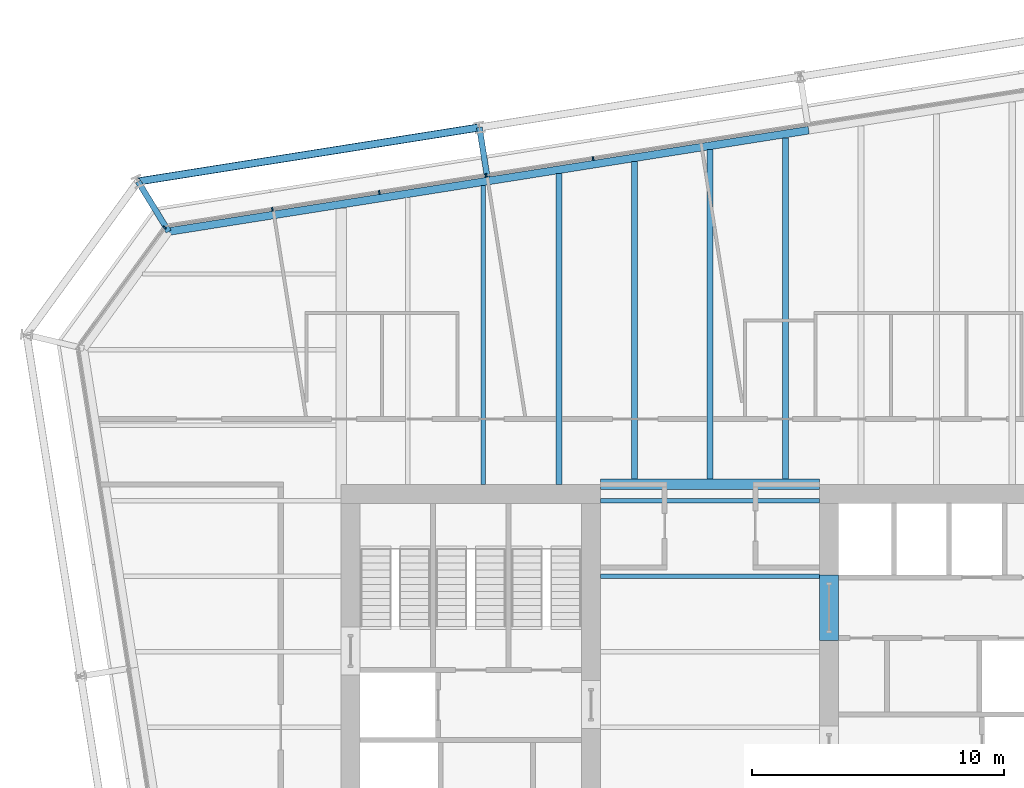
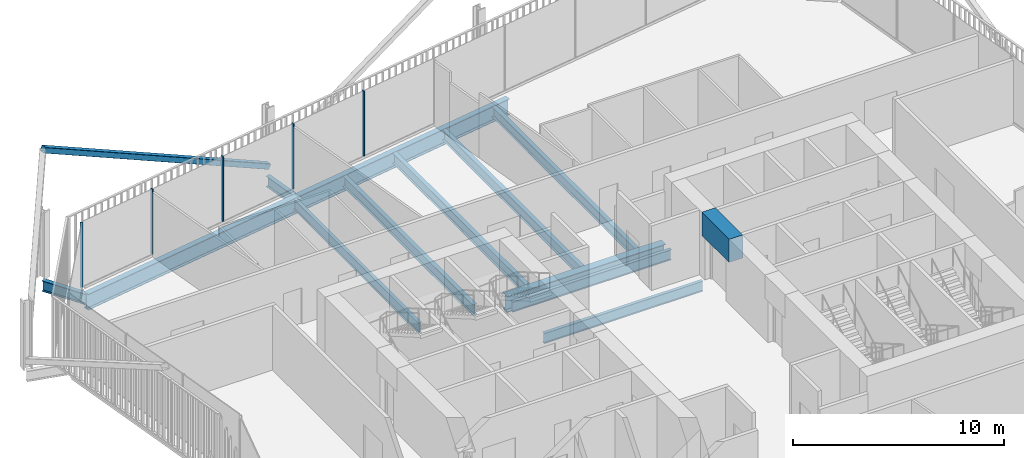
# One storey, part 11 of 22: 13 beams, 6 members, 2 elements without a shape of their own.
"""IFC4 building model written with IfcOpenShell, lengths in metres."""

from ifc_helpers import new_model, si_unit, direction, frame, origin, origin_2d, place, context, subcontext, project, spatial, rectangle, hollow_rectangle, i_section, extrude, material, layer, layer_set, material_profile, profile_set, type_object, element, aggregate, save


model = new_model("IFC4")

# Units and contexts
model_context = context("Model", 3, precision=1e-05, world=origin(), true_north=direction((0.0, 1.0)))
body_context = subcontext(model_context, "Body", "Model", "MODEL_VIEW")
ifc_project = project(units=[si_unit("LENGTHUNIT", "METRE"), si_unit("AREAUNIT", "SQUARE_METRE"), si_unit("VOLUMEUNIT", "CUBIC_METRE"), si_unit("PLANEANGLEUNIT", "RADIAN"), si_unit("MASSUNIT", "GRAM", prefix="KILO")], contexts=[model_context])

# Site, building, storey
site_placement = place(None, origin())
site = spatial("IfcSite", under=ifc_project, at=site_placement, CompositionType="ELEMENT")
building_placement = place(site_placement, origin())
building = spatial("IfcBuilding", under=site, at=building_placement, Name="Millrace Tower", CompositionType="ELEMENT")
storey_placement = place(building_placement, frame((0.0, 0.0, 187.800048828125)))
storey = spatial("IfcBuildingStorey", under=building, at=storey_placement, Name="L42", CompositionType="ELEMENT", Elevation=187.800048828125)

# Curtain wall, members
ifc_material_1 = material(Name="Aluminium and glass", Category="aluminium")
ifc_layer = layer(ifc_material_1, 0.14990234375)
ifc_layer_set = layer_set([ifc_layer], Name="Aluminium and glass")
curtain_wall_type = type_object("IfcCurtainWallType", Name="CW-1 office vision curtain wall", PredefinedType="NOTDEFINED", material=ifc_layer_set)
placement = place(storey_placement, origin())
curtain_wall_1 = element("IfcCurtainWall", 1, at=placement, inside=storey, type_object=curtain_wall_type, Name="Curtain wall C-F06 L42", PredefinedType="NOTDEFINED")
ifc_material_2 = material(Name="Aluminium", Category="aluminium")
ifc_material_profile_1 = material_profile(ifc_material_2, rectangle(XDim=0.06494140625, YDim=0.14990234375, at=origin_2d()))
ifc_profile_set_1 = profile_set([ifc_material_profile_1], Name="Aluminium")
member_type_1 = type_object("IfcMemberType", Name="CW-1 office vision curtain wall mullion", PredefinedType="MULLION", material=ifc_profile_set_1)
member_1_placement = place(storey_placement, frame((-4.6435546875, 22.59326171875, 0.139892578125), z_axis=(0.0, 0.0, 1.0), x_axis=(-0.98768833929, -0.15643447328, 0.0)))
member_1 = element("IfcMember", 2, at=member_1_placement, type_object=member_type_1, Name="CW1 mullion C-F06.6", PredefinedType="MULLION", context=body_context, shape_type="SweptSolid", body=[
    extrude(rectangle(XDim=0.06494140625, YDim=0.14990234375, at=origin_2d()), origin(), (0.0, 0.0, 1.0), 3.760009765625),
])
member_2_placement = place(storey_placement, frame((-8.890625, 21.920654296875, 0.139892578125), z_axis=(0.0, 0.0, 1.0), x_axis=(-0.98768833929, -0.15643447328, 0.0)))
member_2 = element("IfcMember", 3, at=member_2_placement, type_object=member_type_1, Name="CW1 mullion C-F06.7", PredefinedType="MULLION", context=body_context, shape_type="SweptSolid", body=[
    extrude(rectangle(XDim=0.06494140625, YDim=0.14990234375, at=origin_2d()), origin(), (0.0, 0.0, 1.0), 3.760009765625),
])
member_3_placement = place(storey_placement, frame((-13.1376953125, 21.248046875, 0.139892578125), z_axis=(0.0, 0.0, 1.0), x_axis=(-0.98768833929, -0.15643447328, 0.0)))
member_3 = element("IfcMember", 4, at=member_3_placement, type_object=member_type_1, Name="CW1 mullion C-F06.8", PredefinedType="MULLION", context=body_context, shape_type="SweptSolid", body=[
    extrude(rectangle(XDim=0.06494140625, YDim=0.14990234375, at=origin_2d()), origin(), (0.0, 0.0, 1.0), 3.760009765625),
])
member_4_placement = place(storey_placement, frame((-17.384765625, 20.575439453125, 0.139892578125), z_axis=(0.0, 0.0, 1.0), x_axis=(-0.98768833929, -0.15643447328, 0.0)))
member_4 = element("IfcMember", 5, at=member_4_placement, type_object=member_type_1, Name="CW1 mullion C-F06.9", PredefinedType="MULLION", context=body_context, shape_type="SweptSolid", body=[
    extrude(rectangle(XDim=0.06494140625, YDim=0.14990234375, at=origin_2d()), origin(), (0.0, 0.0, 1.0), 3.760009765625),
])
aggregate(curtain_wall_1, [member_1, member_2, member_3, member_4])

# Curtain wall, member
curtain_wall_2 = element("IfcCurtainWall", 6, at=placement, inside=storey, type_object=curtain_wall_type, Name="Curtain wall C-F07 L42", PredefinedType="NOTDEFINED")
member_5_placement = place(storey_placement, frame((-21.667724609375, 19.8515625, 0.139892578125), z_axis=(0.0, 0.0, 1.0), x_axis=(-0.587785269844, -0.809016981623, 0.0)))
member_5 = element("IfcMember", 7, at=member_5_placement, type_object=member_type_1, Name="CW1 mullion C-F07.1", PredefinedType="MULLION", context=body_context, shape_type="SweptSolid", body=[
    extrude(rectangle(XDim=0.06494140625, YDim=0.14990234375, at=origin_2d()), origin(), (0.0, 0.0, 1.0), 3.760009765625),
])
aggregate(curtain_wall_2, [member_5])

# Beam
ifc_material_3 = material(Name="Concrete C70", Category="concrete")
ifc_material_profile_2 = material_profile(ifc_material_3, rectangle(XDim=0.75, YDim=1.340087890625, at=origin_2d()))
ifc_profile_set_2 = profile_set([ifc_material_profile_2], Name="Concrete C70")
beam_type_1 = type_object("IfcBeamType", Name="Coupling beam 750 x 1340 Concrete C70, 2000 opening", PredefinedType="BEAM", material=ifc_profile_set_2)
beam_1_placement = place(storey_placement, frame((4.72509765625, 6.050048828125, 3.070068359375), z_axis=(0.0, -1.0, 0.0), x_axis=(1.0, 0.0, 0.0)))
element("IfcBeam", 8, at=beam_1_placement, inside=storey, type_object=beam_type_1, Name="Coupling beam E L42", PredefinedType="BEAM", context=body_context, shape_type="SweptSolid", body=[
    extrude(rectangle(XDim=0.75, YDim=1.340087890625, at=origin_2d()), origin(), (0.0, 0.0, 1.0), 2.60009765625),
])

# Member
ifc_material_4 = material(Name="Steel ASTM A500 Grade C", Category="steel")
ifc_material_profile_3 = material_profile(ifc_material_4, hollow_rectangle(XDim=0.3046875, YDim=0.3046875, WallThickness=0.0126953125, InnerFilletRadius=0.00634765625, OuterFilletRadius=0.01904296875, at=origin_2d()))
ifc_profile_set_3 = profile_set([ifc_material_profile_3], Name="Steel ASTM A500 Grade C")
member_type_2 = type_object("IfcMemberType", Name="Exoskeleton brace HSS12x12x1/2", PredefinedType="BRACE", material=ifc_profile_set_3)
member_6_placement = place(storey_placement, frame((-9.15966796875, 23.8271484375, 0.39990234375), z_axis=(-0.879904612171, -0.139370908249, 0.454250617407), x_axis=(0.156442906258, -0.987687003601, 0.0)))
element("IfcMember", 9, at=member_6_placement, inside=storey, type_object=member_type_2, Name="BRC-C-L42-12", PredefinedType="BRACE", context=body_context, shape_type="SweptSolid", body=[
    extrude(hollow_rectangle(XDim=0.3046875, YDim=0.3046875, WallThickness=0.0126953125, InnerFilletRadius=0.00634765625, OuterFilletRadius=0.01904296875, at=origin_2d()), origin(), (0.0, 0.0, 1.0), 15.409912109375),
])

# Beams
ifc_material_5 = material(Name="Steel ASTM A992 Grade 50", Category="steel")
ifc_material_profile_4 = material_profile(ifc_material_5, i_section(OverallWidth=0.177978515625, OverallDepth=0.599365234375, WebThickness=0.010009765625, FlangeThickness=0.012939453125, FilletRadius=0.012939453125, at=origin_2d()))
ifc_profile_set_4 = profile_set([ifc_material_profile_4], Name="Steel ASTM A992 Grade 50")
beam_type_2 = type_object("IfcBeamType", Name="Floor beam W24x55", PredefinedType="JOIST", material=ifc_profile_set_4)
for number, where, z_axis, x_axis, name in (
    (10, (-4.35009765625, 6.0, -0.459716796875), (1.0, 0.0, 0.0), (0.0, 1.0, 0.0), "BM-C-L42-S1-S025"),
    (11, (-4.35009765625, 9.0, -0.459716796875), (1.0, 0.0, 0.0), (0.0, 1.0, 0.0), "BM-C-L42-S1-S028"),
):
    element("IfcBeam", number, at=place(storey_placement, frame(where, z_axis=z_axis, x_axis=x_axis)), inside=storey, type_object=beam_type_2, Name=name, PredefinedType="JOIST", context=body_context, shape_type="SweptSolid", body=[
        extrude(i_section(OverallWidth=0.177978515625, OverallDepth=0.599365234375, WebThickness=0.010009765625, FlangeThickness=0.012939453125, FilletRadius=0.012939453125, at=origin_2d()), origin(), (0.0, 0.0, 1.0), 8.7001953125),
    ])
ifc_material_6 = material(Name="Steel ASTM A992 Grade 50", Category="steel")
ifc_material_profile_5 = material_profile(ifc_material_6, i_section(OverallWidth=0.1787109375, OverallDepth=0.60205078125, WebThickness=0.010986328125, FlangeThickness=0.014892578125, FilletRadius=0.0126953125, at=origin_2d()))
ifc_profile_set_5 = profile_set([ifc_material_profile_5], Name="Steel ASTM A992 Grade 50")
beam_type_3 = type_object("IfcBeamType", Name="Floor beam W24x62", PredefinedType="JOIST", material=ifc_profile_set_5)
beam_2_placement = place(storey_placement, frame((-9.0, 9.64990234375, -0.4609375), z_axis=(0.0, 1.0, 0.0), x_axis=(-1.0, 0.0, 0.0)))
element("IfcBeam", 12, at=beam_2_placement, inside=storey, type_object=beam_type_3, Name="BM-C-L42-S1-S041", PredefinedType="JOIST", context=body_context, shape_type="SweptSolid", body=[
    extrude(i_section(OverallWidth=0.1787109375, OverallDepth=0.60205078125, WebThickness=0.010986328125, FlangeThickness=0.014892578125, FilletRadius=0.0126953125, at=origin_2d()), origin(), (0.0, 0.0, 1.0), 11.866455078125),
])
ifc_material_7 = material(Name="Steel ASTM A992 Grade 50", Category="steel")
ifc_material_profile_6 = material_profile(ifc_material_7, i_section(OverallWidth=0.228271484375, OverallDepth=0.607177734375, WebThickness=0.01123046875, FlangeThickness=0.017333984375, FilletRadius=0.0126953125, at=origin_2d()))
ifc_profile_set_6 = profile_set([ifc_material_profile_6], Name="Steel ASTM A992 Grade 50")
beam_type_4 = type_object("IfcBeamType", Name="Floor beam W24x76", PredefinedType="JOIST", material=ifc_profile_set_6)
beam_3_placement = place(storey_placement, frame((-6.0, 9.64990234375, -0.463623046875), z_axis=(0.0, 1.0, 0.0), x_axis=(-1.0, 0.0, 0.0)))
element("IfcBeam", 13, at=beam_3_placement, inside=storey, type_object=beam_type_4, Name="BM-C-L42-S1-S043", PredefinedType="JOIST", context=body_context, shape_type="SweptSolid", body=[
    extrude(i_section(OverallWidth=0.228271484375, OverallDepth=0.607177734375, WebThickness=0.01123046875, FlangeThickness=0.017333984375, FilletRadius=0.0126953125, at=origin_2d()), origin(), (0.0, 0.0, 1.0), 12.341552734375),
])
beam_4_placement = place(storey_placement, frame((-3.0, 9.859619140625, -0.463623046875), z_axis=(0.0, 1.0, 0.0), x_axis=(-1.0, 0.0, 0.0)))
element("IfcBeam", 14, at=beam_4_placement, inside=storey, type_object=beam_type_4, Name="BM-C-L42-S1-S045", PredefinedType="JOIST", context=body_context, shape_type="SweptSolid", body=[
    extrude(i_section(OverallWidth=0.228271484375, OverallDepth=0.607177734375, WebThickness=0.01123046875, FlangeThickness=0.017333984375, FilletRadius=0.0126953125, at=origin_2d()), origin(), (0.0, 0.0, 1.0), 12.60693359375),
])
beam_5_placement = place(storey_placement, frame((0.0, 9.859619140625, -0.463623046875), z_axis=(0.0, 1.0, 0.0), x_axis=(-1.0, 0.0, 0.0)))
element("IfcBeam", 15, at=beam_5_placement, inside=storey, type_object=beam_type_4, Name="BM-C-L42-S1-S047", PredefinedType="JOIST", context=body_context, shape_type="SweptSolid", body=[
    extrude(i_section(OverallWidth=0.228271484375, OverallDepth=0.607177734375, WebThickness=0.01123046875, FlangeThickness=0.017333984375, FilletRadius=0.0126953125, at=origin_2d()), origin(), (0.0, 0.0, 1.0), 13.08203125),
])
beam_6_placement = place(storey_placement, frame((3.0, 9.859619140625, -0.463623046875), z_axis=(0.0, 1.0, 0.0), x_axis=(-1.0, 0.0, 0.0)))
element("IfcBeam", 16, at=beam_6_placement, inside=storey, type_object=beam_type_4, Name="BM-C-L42-S1-S049", PredefinedType="JOIST", context=body_context, shape_type="SweptSolid", body=[
    extrude(i_section(OverallWidth=0.228271484375, OverallDepth=0.607177734375, WebThickness=0.01123046875, FlangeThickness=0.017333984375, FilletRadius=0.0126953125, at=origin_2d()), origin(), (0.0, 0.0, 1.0), 13.55712890625),
])
ifc_material_8 = material(Name="Steel ASTM A992 Grade 50", Category="steel")
ifc_material_profile_7 = material_profile(ifc_material_8, i_section(OverallWidth=0.419189453125, OverallDepth=0.927001953125, WebThickness=0.019287109375, FlangeThickness=0.031982421875, FilletRadius=0.024169921875, at=origin_2d()))
ifc_profile_set_7 = profile_set([ifc_material_profile_7], Name="Steel ASTM A992 Grade 50")
beam_type_5 = type_object("IfcBeamType", Name="Girder short span W36x231", PredefinedType="BEAM", material=ifc_profile_set_7)
beam_7_placement = place(storey_placement, frame((-4.35009765625, 9.64990234375, -0.62353515625), z_axis=(1.0, 0.0, 0.0), x_axis=(0.0, 1.0, 0.0)))
element("IfcBeam", 17, at=beam_7_placement, inside=storey, type_object=beam_type_5, Name="BM-C-L42-S1-G061", PredefinedType="BEAM", context=body_context, shape_type="SweptSolid", body=[
    extrude(i_section(OverallWidth=0.419189453125, OverallDepth=0.927001953125, WebThickness=0.019287109375, FlangeThickness=0.031982421875, FilletRadius=0.024169921875, at=origin_2d()), origin(), (0.0, 0.0, 1.0), 8.7001953125),
])
ifc_material_9 = material(Name="Steel ASTM A992 Grade 50", Category="steel")
ifc_material_profile_8 = material_profile(ifc_material_9, i_section(OverallWidth=0.23046875, OverallDepth=0.6171875, WebThickness=0.01318359375, FlangeThickness=0.022216796875, FilletRadius=0.012939453125, at=origin_2d()))
ifc_profile_set_8 = profile_set([ifc_material_profile_8], Name="Steel ASTM A992 Grade 50")
beam_type_6 = type_object("IfcBeamType", Name="Link beam W24x94", PredefinedType="BEAM", material=ifc_profile_set_8)
beam_8_placement = place(storey_placement, frame((-21.5009765625, 19.69189453125, -0.46875), z_axis=(-0.522512938711, 0.852631355792, 0.0), x_axis=(-0.852631355792, -0.522512938711, 0.0)))
element("IfcBeam", 18, at=beam_8_placement, inside=storey, type_object=beam_type_6, Name="LNK-C-L42-S1-05", PredefinedType="BEAM", context=body_context, shape_type="SweptSolid", body=[
    extrude(i_section(OverallWidth=0.23046875, OverallDepth=0.6171875, WebThickness=0.01318359375, FlangeThickness=0.022216796875, FilletRadius=0.012939453125, at=origin_2d()), origin(), (0.0, 0.0, 1.0), 2.3310546875),
])
beam_9_placement = place(storey_placement, frame((-8.8466796875, 21.8515625, -0.46875), z_axis=(-0.156476509441, 0.987681680499, 0.0), x_axis=(-0.987681680499, -0.156476509441, 0.0)))
element("IfcBeam", 19, at=beam_9_placement, inside=storey, type_object=beam_type_6, Name="LNK-C-L42-S1-06", PredefinedType="BEAM", context=body_context, shape_type="SweptSolid", body=[
    extrude(i_section(OverallWidth=0.23046875, OverallDepth=0.6171875, WebThickness=0.01318359375, FlangeThickness=0.022216796875, FilletRadius=0.012939453125, at=origin_2d()), origin(), (0.0, 0.0, 1.0), 2.000244140625),
])
ifc_material_10 = material(Name="Steel ASTM A992 Grade 50", Category="steel")
ifc_material_profile_9 = material_profile(ifc_material_10, i_section(OverallWidth=0.307373046875, OverallDepth=0.927001953125, WebThickness=0.01953125, FlangeThickness=0.031982421875, FilletRadius=0.01904296875, at=origin_2d()))
ifc_profile_set_9 = profile_set([ifc_material_profile_9], Name="Steel ASTM A992 Grade 50")
beam_type_7 = type_object("IfcBeamType", Name="Ring beam medium span W36x194", PredefinedType="SPANDREL", material=ifc_profile_set_9)
beam_10_placement = place(storey_placement, frame((-21.5009765625, 19.69189453125, -0.62353515625), z_axis=(0.987688058438, 0.156436246498, 0.0), x_axis=(-0.156436246498, 0.987688058438, 0.0)))
element("IfcBeam", 20, at=beam_10_placement, inside=storey, type_object=beam_type_7, Name="RNG-C-L42-S1-05", PredefinedType="SPANDREL", context=body_context, shape_type="SweptSolid", body=[
    extrude(i_section(OverallWidth=0.307373046875, OverallDepth=0.927001953125, WebThickness=0.01953125, FlangeThickness=0.031982421875, FilletRadius=0.01904296875, at=origin_2d()), origin(), (0.0, 0.0, 1.0), 12.836181640625),
])
beam_11_placement = place(storey_placement, frame((-8.82275390625, 21.699951171875, -0.62353515625), z_axis=(0.987687659758, 0.156438763615, 0.0), x_axis=(-0.156438763615, 0.987687659758, 0.0)))
element("IfcBeam", 21, at=beam_11_placement, inside=storey, type_object=beam_type_7, Name="RNG-C-L42-S1-06", PredefinedType="SPANDREL", context=body_context, shape_type="SweptSolid", body=[
    extrude(i_section(OverallWidth=0.307373046875, OverallDepth=0.927001953125, WebThickness=0.01953125, FlangeThickness=0.031982421875, FilletRadius=0.01904296875, at=origin_2d()), origin(), (0.0, 0.0, 1.0), 12.900146484375),
])

save(model, "model.ifc")
